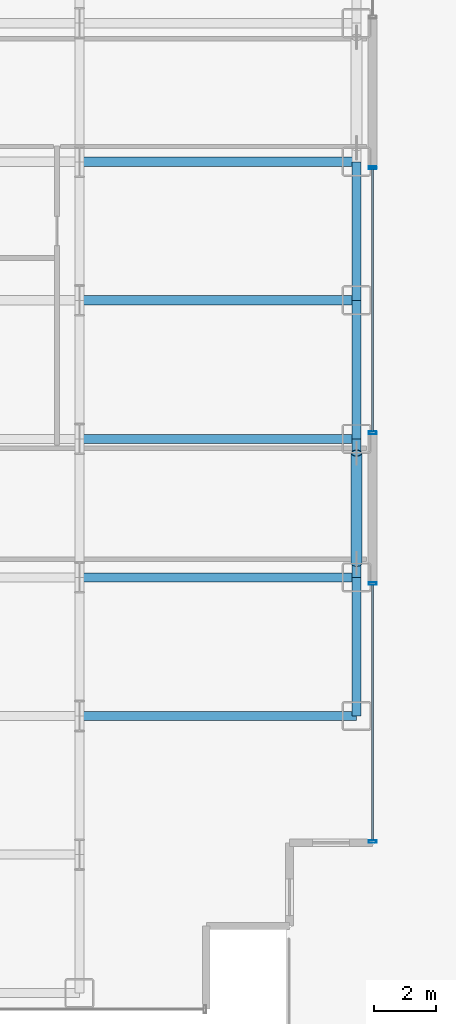
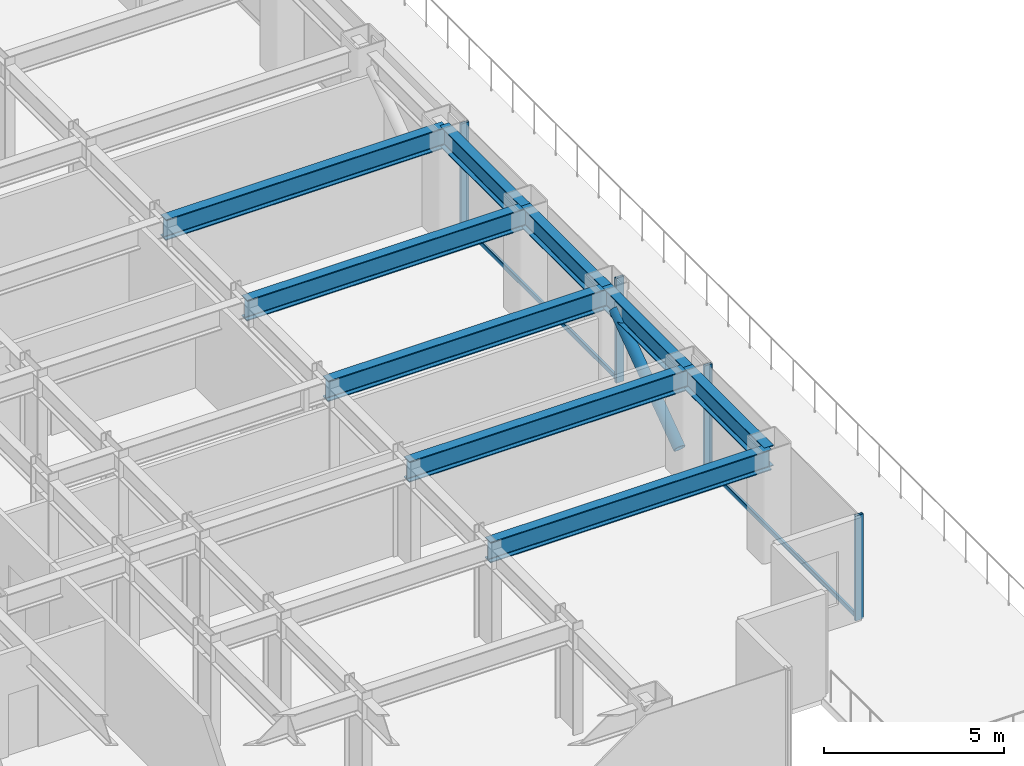
# One storey, part 17 of 30: 9 beams, 7 members, 2 elements without a shape of their own.
"""IFC4 building model written with IfcOpenShell, lengths in metres."""

from ifc_helpers import new_model, si_unit, direction, frame, origin, origin_2d, place, context, subcontext, project, spatial, hollow_rectangle, hollow_circle, i_section, extrude, source, transform, mapped, material, layer, layer_set, material_profile, profile_set, type_object, element, aggregate, save


model = new_model("IFC4")

# Units and contexts
model_context = context("Model", 3, precision=1e-05, world=origin(), true_north=direction((0.0, 1.0)))
body_context = subcontext(model_context, "Body", "Model", "MODEL_VIEW")
ifc_project = project(units=[si_unit("LENGTHUNIT", "METRE"), si_unit("AREAUNIT", "SQUARE_METRE"), si_unit("VOLUMEUNIT", "CUBIC_METRE"), si_unit("PLANEANGLEUNIT", "RADIAN"), si_unit("MASSUNIT", "GRAM", prefix="KILO")], contexts=[model_context])

# Site, building, storey
site_placement = place(None, origin())
site = spatial("IfcSite", under=ifc_project, at=site_placement, CompositionType="ELEMENT")
building_placement = place(site_placement, origin())
building = spatial("IfcBuilding", under=site, at=building_placement, Name="Nefas-Gora Pilgrimage Tower", CompositionType="ELEMENT")
storey_placement = place(building_placement, frame((0.0, 0.0, 33.0)))
storey = spatial("IfcBuildingStorey", under=building, at=storey_placement, Name="L06", CompositionType="ELEMENT", Elevation=33.0)

# Beams
ifc_material_1 = material(Name="Steel S355", Category="steel")
ifc_material_profile_1 = material_profile(ifc_material_1, i_section(OverallWidth=0.300048828125, OverallDepth=0.699951171875, WebThickness=0.01708984375, FlangeThickness=0.031982421875, FilletRadius=0.027099609375, at=origin_2d()), Name="HEB 700")
ifc_profile_set_1 = profile_set([ifc_material_profile_1], Name="Steel S355")
beam_type_1 = type_object("IfcBeamType", Name="BM-SPN-HEB600", PredefinedType="SPANDREL", material=ifc_profile_set_1)
shared_shape_1 = source(origin(), body_context, "Body", "SweptSolid", [
    extrude(i_section(OverallWidth=0.300048828125, OverallDepth=0.699951171875, WebThickness=0.01708984375, FlangeThickness=0.031982421875, FilletRadius=0.027099609375, at=origin_2d()), origin(), (0.0, 0.0, 1.0), 4.5),
])
for number, where, z_axis, x_axis, name in (
    (1, (33.75, -13.5, 3.199951171875), (0.0, 1.0, 0.0), (-1.0, 0.0, 0.0), "L06 SP-01 beam"),
    (2, (33.75, -9.0, 3.199951171875), (0.0, 1.0, 0.0), (-1.0, 0.0, 0.0), "L06 SP-01 beam"),
    (3, (33.75, -4.5, 3.199951171875), (0.0, 1.0, 0.0), (-1.0, 0.0, 0.0), "L06 SP-01 beam"),
    (4, (33.75, 0.0, 3.199951171875), (0.0, 1.0, 0.0), (-1.0, 0.0, 0.0), "L06 SP-01 beam"),
):
    element("IfcBeam", number, at=place(storey_placement, frame(where, z_axis=z_axis, x_axis=x_axis)), inside=storey, type_object=beam_type_1, Name=name, PredefinedType="SPANDREL", context=body_context, shape_type="MappedRepresentation", body=[
        mapped(shared_shape_1, transform((0.0, 0.0, 0.0), x_axis=(1.0, 0.0, 0.0), y_axis=(0.0, 1.0, 0.0), z_axis=(0.0, 0.0, 1.0), scale=1.0)),
    ])
ifc_material_profile_2 = material_profile(ifc_material_1, i_section(OverallWidth=0.300048828125, OverallDepth=0.699951171875, WebThickness=0.01708984375, FlangeThickness=0.031982421875, FilletRadius=0.027099609375, at=origin_2d()), Name="HEB 700")
ifc_profile_set_2 = profile_set([ifc_material_profile_2], Name="Steel S355")
beam_type_2 = type_object("IfcBeamType", Name="BM-GIR-HEB700", PredefinedType="BEAM", material=ifc_profile_set_2)
shared_shape_2 = source(origin(), body_context, "Body", "SweptSolid", [
    extrude(i_section(OverallWidth=0.300048828125, OverallDepth=0.699951171875, WebThickness=0.01708984375, FlangeThickness=0.031982421875, FilletRadius=0.027099609375, at=origin_2d()), origin(), (0.0, 0.0, 1.0), 9.0),
])
for number, where, z_axis, x_axis, name in (
    (5, (24.75, -13.5, 3.199951171875), (1.0, 0.0, 0.0), (0.0, 1.0, 0.0), "L06 G-02 beam"),
    (6, (24.75, -9.0, 3.199951171875), (1.0, 0.0, 0.0), (0.0, 1.0, 0.0), "L06 G-02 beam"),
    (7, (24.75, -4.5, 3.199951171875), (1.0, 0.0, 0.0), (0.0, 1.0, 0.0), "L06 G-02 beam"),
    (8, (24.75, 0.0, 3.199951171875), (1.0, 0.0, 0.0), (0.0, 1.0, 0.0), "L06 G-02 beam"),
    (9, (24.75, 4.5, 3.199951171875), (1.0, 0.0, 0.0), (0.0, 1.0, 0.0), "L06 G-02 beam"),
):
    element("IfcBeam", number, at=place(storey_placement, frame(where, z_axis=z_axis, x_axis=x_axis)), inside=storey, type_object=beam_type_2, Name=name, PredefinedType="BEAM", context=body_context, shape_type="MappedRepresentation", body=[
        mapped(shared_shape_2, transform((0.0, 0.0, 0.0), x_axis=(1.0, 0.0, 0.0), y_axis=(0.0, 1.0, 0.0), z_axis=(0.0, 0.0, 1.0), scale=1.0)),
    ])

# Member
ifc_material_2 = material(Name="Steel S460", Category="steel")
ifc_material_profile_3 = material_profile(ifc_material_2, hollow_circle(Radius=0.177734375, WallThickness=0.02001953125, at=origin_2d()), Name="CHS 355.6x20")
ifc_profile_set_3 = profile_set([ifc_material_profile_3], Name="Steel S460")
member_type_1 = type_object("IfcMemberType", Name="MEM-TUBE-356", PredefinedType="BRACE", material=ifc_profile_set_3)
shared_shape_3 = source(origin(), body_context, "Body", "SweptSolid", [
    extrude(hollow_circle(Radius=0.177734375, WallThickness=0.02001953125, at=origin_2d()), origin(), (0.0, 0.0, 1.0), 4.39501953125),
])
member_1_placement = place(storey_placement, frame((33.75, -8.537109375, 0.481201171875), z_axis=(0.0, 0.813237738338, 0.581931594729), x_axis=(-1.0, 0.0, 0.0)))
element("IfcMember", 10, at=member_1_placement, inside=storey, type_object=member_type_1, Name="L06 Perimeter Tube Diagonal Brace E1", PredefinedType="BRACE", context=body_context, shape_type="MappedRepresentation", body=[
    mapped(shared_shape_3, transform((0.0, 0.0, 0.0), x_axis=(1.0, 0.0, 0.0), y_axis=(0.0, 1.0, 0.0), z_axis=(0.0, 0.0, 1.0), scale=1.0)),
])

# Curtain wall, members
ifc_material_3 = material(Name="Dark ceramic-fritted solar-control aluminium-glass curtain wall", Category="aluminium")
ifc_layer = layer(ifc_material_3, 0.219970703125)
ifc_layer_set = layer_set([ifc_layer], Name="Dark ceramic-fritted solar-control aluminium-glass curtain wall")
curtain_wall_type = type_object("IfcCurtainWallType", Name="CW-SYS-2", PredefinedType="NOTDEFINED", material=ifc_layer_set)
curtain_wall_1_placement = place(storey_placement, origin())
curtain_wall_1 = element("IfcCurtainWall", 11, at=curtain_wall_1_placement, inside=storey, type_object=curtain_wall_type, Name="L06 Unitised Curtain Wall CW2", PredefinedType="NOTDEFINED")
ifc_material_4 = material(Name="Anodised architectural aluminium", Category="aluminium")
ifc_material_profile_4 = material_profile(ifc_material_4, hollow_rectangle(XDim=0.090087890625, YDim=0.260009765625, WallThickness=0.006103515625, InnerFilletRadius=0.006103515625, OuterFilletRadius=0.011962890625, at=origin_2d()), Name="ALU MULLION 90x260")
ifc_profile_set_4 = profile_set([ifc_material_profile_4], Name="Anodised architectural aluminium")
member_type_2 = type_object("IfcMemberType", Name="CWM-MUL-2", PredefinedType="MULLION", material=ifc_profile_set_4)
shared_shape_4 = source(origin(), body_context, "Body", "SweptSolid", [
    extrude(hollow_rectangle(XDim=0.090087890625, YDim=0.260009765625, WallThickness=0.006103515625, InnerFilletRadius=0.006103515625, OuterFilletRadius=0.011962890625, at=origin_2d()), origin(), (0.0, 0.0, 1.0), 3.550048828125),
])
member_2_placement = place(storey_placement, frame((34.27001953125, -17.574951171875, 0.0), z_axis=(0.0, 0.0, 1.0), x_axis=(0.0, 1.0, 0.0)))
member_2 = element("IfcMember", 12, at=member_2_placement, type_object=member_type_2, Name="CW2 Mullion 1", PredefinedType="MULLION", context=body_context, shape_type="MappedRepresentation", body=[
    mapped(shared_shape_4, transform((0.0, 0.0, 0.0), x_axis=(1.0, 0.0, 0.0), y_axis=(0.0, 1.0, 0.0), z_axis=(0.0, 0.0, 1.0), scale=1.0)),
])
member_3_placement = place(storey_placement, frame((34.27001953125, -9.195068359375, 0.0), z_axis=(0.0, 0.0, 1.0), x_axis=(0.0, 1.0, 0.0)))
member_3 = element("IfcMember", 13, at=member_3_placement, type_object=member_type_2, Name="CW2 Mullion 2", PredefinedType="MULLION", context=body_context, shape_type="MappedRepresentation", body=[
    mapped(shared_shape_4, transform((0.0, 0.0, 0.0), x_axis=(1.0, 0.0, 0.0), y_axis=(0.0, 1.0, 0.0), z_axis=(0.0, 0.0, 1.0), scale=1.0)),
])

curtain_wall_2_placement = place(storey_placement, origin())
curtain_wall_2 = element("IfcCurtainWall", 14, at=curtain_wall_2_placement, inside=storey, type_object=curtain_wall_type, Name="L06 Unitised Curtain Wall CW2", PredefinedType="NOTDEFINED")
member_4_placement = place(storey_placement, frame((34.27001953125, -4.304931640625, 0.0), z_axis=(0.0, 0.0, 1.0), x_axis=(0.0, 1.0, 0.0)))
member_4 = element("IfcMember", 15, at=member_4_placement, type_object=member_type_2, Name="CW2 Mullion 1", PredefinedType="MULLION", context=body_context, shape_type="MappedRepresentation", body=[
    mapped(shared_shape_4, transform((0.0, 0.0, 0.0), x_axis=(1.0, 0.0, 0.0), y_axis=(0.0, 1.0, 0.0), z_axis=(0.0, 0.0, 1.0), scale=1.0)),
])
member_5_placement = place(storey_placement, frame((34.27001953125, 4.304931640625, 0.0), z_axis=(0.0, 0.0, 1.0), x_axis=(0.0, 1.0, 0.0)))
member_5 = element("IfcMember", 16, at=member_5_placement, type_object=member_type_2, Name="CW2 Mullion 2", PredefinedType="MULLION", context=body_context, shape_type="MappedRepresentation", body=[
    mapped(shared_shape_4, transform((0.0, 0.0, 0.0), x_axis=(1.0, 0.0, 0.0), y_axis=(0.0, 1.0, 0.0), z_axis=(0.0, 0.0, 1.0), scale=1.0)),
])

# Member
ifc_material_profile_5 = material_profile(ifc_material_4, hollow_rectangle(XDim=0.080078125, YDim=0.159912109375, WallThickness=0.00439453125, InnerFilletRadius=0.00439453125, OuterFilletRadius=0.009033203125, at=origin_2d()), Name="ALU TRANSOM 80x160")
ifc_profile_set_5 = profile_set([ifc_material_profile_5], Name="Anodised architectural aluminium")
member_type_3 = type_object("IfcMemberType", Name="CWM-TRN-2", PredefinedType="USERDEFINED", material=ifc_profile_set_5)
shared_shape_5 = source(origin(), body_context, "Body", "SweptSolid", [
    extrude(hollow_rectangle(XDim=0.080078125, YDim=0.159912109375, WallThickness=0.00439453125, InnerFilletRadius=0.00439453125, OuterFilletRadius=0.009033203125, at=origin_2d()), origin(), (0.0, 0.0, 1.0), 8.2900390625),
])
member_6_placement = place(storey_placement, frame((34.27001953125, -17.530029296875, 0.050048828125), z_axis=(0.0, 1.0, 0.0), x_axis=(-1.0, 0.0, 0.0)))
member_6 = element("IfcMember", 17, at=member_6_placement, type_object=member_type_3, Name="CW2 Spandrel Transom", ObjectType="TRANSOM", PredefinedType="USERDEFINED", context=body_context, shape_type="MappedRepresentation", body=[
    mapped(shared_shape_5, transform((0.0, 0.0, 0.0), x_axis=(1.0, 0.0, 0.0), y_axis=(0.0, 1.0, 0.0), z_axis=(0.0, 0.0, 1.0), scale=1.0)),
])

aggregate(curtain_wall_1, [member_2, member_3, member_6])

shared_shape_6 = source(origin(), body_context, "Body", "SweptSolid", [
    extrude(hollow_rectangle(XDim=0.080078125, YDim=0.159912109375, WallThickness=0.00439453125, InnerFilletRadius=0.00439453125, OuterFilletRadius=0.009033203125, at=origin_2d()), origin(), (0.0, 0.0, 1.0), 8.52001953125),
])
member_7_placement = place(storey_placement, frame((34.27001953125, -4.260009765625, 0.050048828125), z_axis=(0.0, 1.0, 0.0), x_axis=(-1.0, 0.0, 0.0)))
member_7 = element("IfcMember", 18, at=member_7_placement, type_object=member_type_3, Name="CW2 Spandrel Transom", ObjectType="TRANSOM", PredefinedType="USERDEFINED", context=body_context, shape_type="MappedRepresentation", body=[
    mapped(shared_shape_6, transform((0.0, 0.0, 0.0), x_axis=(1.0, 0.0, 0.0), y_axis=(0.0, 1.0, 0.0), z_axis=(0.0, 0.0, 1.0), scale=1.0)),
])

aggregate(curtain_wall_2, [member_4, member_5, member_7])

save(model, "model.ifc")
